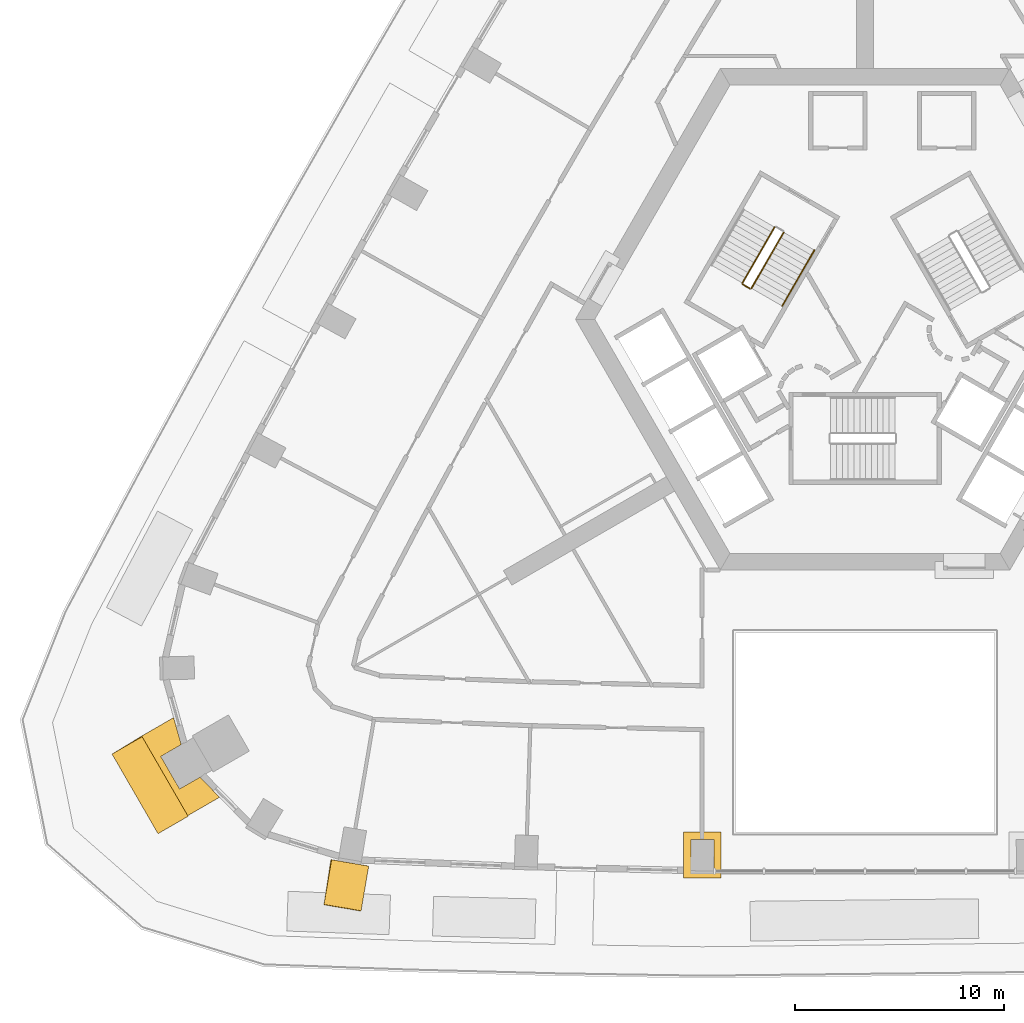
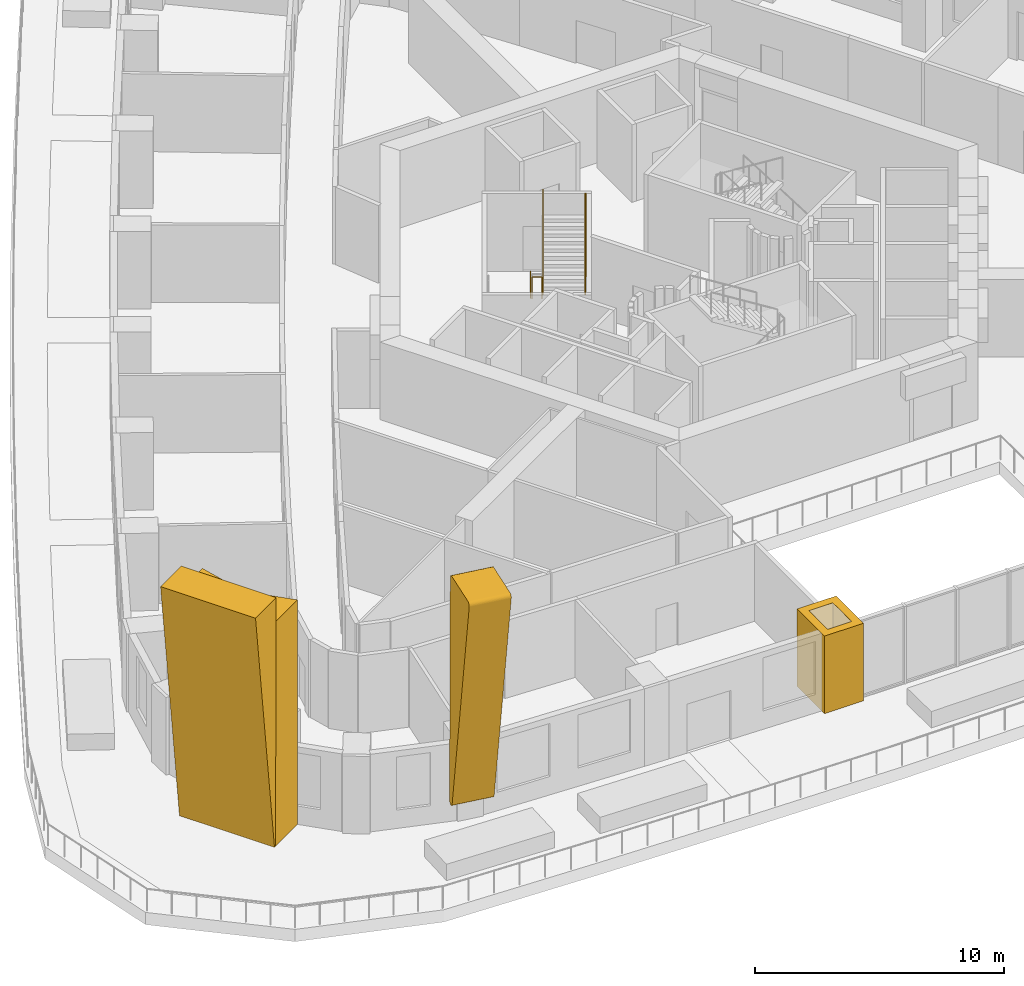
# One storey, part 13 of 16: 4 coverings, 4 railings.
"""IFC4 building model written with IfcOpenShell, lengths in metres."""

from ifc_helpers import new_model, si_unit, direction, frame, origin, origin_2d, place, context, subcontext, project, spatial, polyline, circle, outline, extrude, material, type_object, element, save


model = new_model("IFC4")

# Units and contexts
model_context = context("Model", 3, precision=1e-05, world=origin(), true_north=direction((0.0, 1.0)))
body_context = subcontext(model_context, "Body", "Model", "MODEL_VIEW")
ifc_project = project(units=[si_unit("LENGTHUNIT", "METRE"), si_unit("AREAUNIT", "SQUARE_METRE"), si_unit("VOLUMEUNIT", "CUBIC_METRE"), si_unit("PLANEANGLEUNIT", "RADIAN"), si_unit("MASSUNIT", "GRAM", prefix="KILO")], contexts=[model_context])

# Site, building, storey
site_placement = place(None, origin())
site = spatial("IfcSite", under=ifc_project, at=site_placement, CompositionType="ELEMENT")
building_placement = place(site_placement, origin())
building = spatial("IfcBuilding", under=site, at=building_placement, Name="Entoto Arch Interchange Tower", CompositionType="ELEMENT")
storey_placement = place(building_placement, frame((0.0, 0.0, 138.199951171875)))
storey = spatial("IfcBuildingStorey", under=building, at=storey_placement, Name="L30", CompositionType="ELEMENT", Elevation=138.199951171875)

# Coverings
ifc_material_1 = material(Name="Board-marked precast concrete C50/60", Category="concrete")
covering_type = type_object("IfcCoveringType", Name="PRECAST FRAME COURSE", PredefinedType="CLADDING", material=ifc_material_1)
covering_1_placement = place(storey_placement, origin())
element("IfcCovering", 1, at=covering_1_placement, inside=storey, type_object=covering_type, Name="Corner pilaster SW L30-L32", PredefinedType="CLADDING", context=body_context, shape_type="SweptSolid", body=[
    extrude(outline(polyline([(-32.408935546875, -21.2509765625), (-34.60888671875, -17.44091796875), (-33.083984375, -16.56005859375), (-32.720947265625, -17.85205078125), (-33.698974609375, -18.4169921875), (-32.799072265625, -19.97509765625), (-31.821044921875, -19.410888671875), (-30.884033203125, -20.37109375), (-32.408935546875, -21.2509765625)])), origin(), (0.0, 0.0, 1.0), 11.0),
])
covering_2_placement = place(storey_placement, frame((-34.60888671875, -17.44091796875, 0.0), z_axis=(-0.500177323051, 0.86591797211, 0.002951454336), x_axis=(-0.865921757222, -0.500179478073, -9.200649e-06)))
element("IfcCovering", 2, at=covering_2_placement, inside=storey, type_object=covering_type, Name="Corner rib SW L30-L32", PredefinedType="CLADDING", context=body_context, shape_type="SweptSolid", body=[
    extrude(outline(polyline([(0.0, 0.0), (0.07852072430579661, 1.3552527156068805e-20), (1.6630051086801623, 12.200019610923919), (-3.644048159262377e-05, 12.200003587350258), (0.0, 0.0)])), origin(), (0.0, 0.0, -1.0), 4.39990234375),
])
covering_3_placement = place(storey_placement, frame((-25.60595703125, -23.64697265625, 1.119140625), z_axis=(-0.985749221564, 0.168195016562, 0.002984725901), x_axis=(0.049194691394, 0.305194289142, -0.951018574063)))
element("IfcCovering", 3, at=covering_3_placement, inside=storey, type_object=covering_type, Name="Fold rib S01 L30-L32", PredefinedType="CLADDING", context=body_context, shape_type="SweptSolid", body=[
    extrude(outline(polyline([(0.0, 0.0), (0.04543943350133891, 1.734723475976807e-18), (0.07388579013659848, -0.006961429461093637), (0.10041748867757108, -0.020661734053531392), (0.12416442607569184, -0.038433410646295504), (0.14367966011038152, -0.059777725898296726), (0.15837098205978392, -0.08602291949537849), (0.16747791912908036, -0.11404008490179887), (0.1719532212399118, -0.1436058963540576), (0.16989332159028525, -0.1728025122408406), (0.15607956609628978, -0.21481212906891856), (0.14025840487887442, -0.24038390116766498), (0.11999025623667757, -0.26174151146346236), (0.09492750073148046, -0.27862738425579814), (0.06819193460749941, -0.29035419790028766), (-10.3034910059266, -3.662336752125901), (-10.332137371853838, -3.6681855275173074), (-10.376713935307876, -3.6668928340065565), (-10.41814082338126, -3.652374454053964), (-10.45358146972976, -3.62785567465932), (-10.473481265809644, -3.6053278968980047), (-10.487157337935612, -3.579048940887103), (-11.076741616238959, -1.7683295781775346), (-11.08270182487977, -1.7405117036420452), (-11.083848705772148, -1.7109194254169051), (-11.078406536297837, -1.6826478876240354), (-11.068135154778268, -1.6558001612661688), (-11.053194680946271, -1.630687360691834), (-11.033977813395621, -1.6092456899294008), (-11.009721234951344, -1.5930476263046418), (-10.983406262140665, -1.5800195272703832), (-10.955364630104976, -1.5731020322507656), (0.0, 0.0)])), origin(), (0.0, 0.0, -1.0), 1.800048828125),
])
covering_4_placement = place(storey_placement, origin())
element("IfcCovering", 4, at=covering_4_placement, inside=storey, type_object=covering_type, Name="Gate pier L30", PredefinedType="CLADDING", context=body_context, shape_type="SweptSolid", body=[
    extrude(outline(polyline([(-8.68896484375, -22.041015625), (-6.888916015625, -22.041015625), (-6.888916015625, -24.240966796875), (-8.68896484375, -24.240966796875), (-8.68896484375, -22.041015625)]), holes=[polyline([(-8.339111328125, -22.39111328125), (-8.339111328125, -23.89111328125), (-7.239013671875, -23.89111328125), (-7.239013671875, -22.39111328125), (-8.339111328125, -22.39111328125)])]), origin(), (0.0, 0.0, 1.0), 3.800048828125),
])

# Railings
ifc_material_2 = material(Name="Stainless steel 1.4301", Category="steel")
railing_type_1 = type_object("IfcRailingType", Name="STAIR GUARD 1100 STEEL", PredefinedType="GUARDRAIL", material=ifc_material_2)
railing_1_placement = place(storey_placement, frame((-4.327880859375, 6.904052734375, 0.175048828125)))
element("IfcRailing", 5, at=railing_1_placement, inside=storey, type_object=railing_type_1, Name="L30 ST-NW stair guard 1", PredefinedType="GUARDRAIL", context=body_context, shape_type="SweptSolid", body=[
    extrude(circle(Radius=0.02392578125, at=origin_2d()), frame((0.0, 0.0, 1.076171875), z_axis=(-0.423994474112, -0.734394994316, 0.52999309264), x_axis=(0.866029832698, -0.499992328818, 0.0)), (0.0, 0.0, 1.0), 3.63232421875),
    extrude(circle(Radius=0.02099609375, at=origin_2d()), origin(), (0.0, 0.0, 1.0), 1.052001953125),
    extrude(circle(Radius=0.02099609375, at=origin_2d()), frame((-0.385009765625, -0.6669921875, 0.481201171875)), (0.0, 0.0, 1.0), 1.052001953125),
    extrude(circle(Radius=0.02099609375, at=origin_2d()), frame((-0.77001953125, -1.333740234375, 0.96240234375)), (0.0, 0.0, 1.0), 1.052001953125),
    extrude(circle(Radius=0.02099609375, at=origin_2d()), frame((-1.155029296875, -2.00048828125, 1.44384765625)), (0.0, 0.0, 1.0), 1.052001953125),
    extrude(circle(Radius=0.02099609375, at=origin_2d()), frame((-1.5400390625, -2.66748046875, 1.925048828125)), (0.0, 0.0, 1.0), 1.052001953125),
])
railing_2_placement = place(storey_placement, frame((-5.849609375, 4.168212890625, 2.10009765625)))
element("IfcRailing", 6, at=railing_2_placement, inside=storey, type_object=railing_type_1, Name="L30 ST-NW stair guard 2", PredefinedType="GUARDRAIL", context=body_context, shape_type="SweptSolid", body=[
    extrude(circle(Radius=0.02392578125, at=origin_2d()), frame((0.0, 0.0, 1.076171875), z_axis=(0.866094119867, -0.499880961361, 0.0), x_axis=(0.499880961361, 0.866094119867, 0.0)), (0.0, 0.0, 1.0), 0.39990234375),
    extrude(circle(Radius=0.02099609375, at=origin_2d()), origin(), (0.0, 0.0, 1.0), 1.052001953125),
    extrude(circle(Radius=0.02099609375, at=origin_2d()), frame((0.346435546875, -0.199951171875, 0.0)), (0.0, 0.0, 1.0), 1.052001953125),
])
railing_3_placement = place(storey_placement, frame((-5.434814453125, 3.986572265625, 2.275146484375)))
element("IfcRailing", 7, at=railing_3_placement, inside=storey, type_object=railing_type_1, Name="L30 ST-NW stair guard 3", PredefinedType="GUARDRAIL", context=body_context, shape_type="SweptSolid", body=[
    extrude(circle(Radius=0.02392578125, at=origin_2d()), frame((0.0, 0.0, 1.076171875), z_axis=(0.424009578203, 0.734421155904, 0.529944755001), x_axis=(-0.866029832698, 0.499992328818, 0.0)), (0.0, 0.0, 1.0), 3.632080078125),
    extrude(circle(Radius=0.02099609375, at=origin_2d()), origin(), (0.0, 0.0, 1.0), 1.052001953125),
    extrude(circle(Radius=0.02099609375, at=origin_2d()), frame((0.385009765625, 0.6669921875, 0.481201171875)), (0.0, 0.0, 1.0), 1.052001953125),
    extrude(circle(Radius=0.02099609375, at=origin_2d()), frame((0.77001953125, 1.333740234375, 0.96240234375)), (0.0, 0.0, 1.0), 1.052001953125),
    extrude(circle(Radius=0.02099609375, at=origin_2d()), frame((1.155029296875, 2.00048828125, 1.443603515625)), (0.0, 0.0, 1.0), 1.052001953125),
    extrude(circle(Radius=0.02099609375, at=origin_2d()), frame((1.5400390625, 2.66748046875, 1.9248046875)), (0.0, 0.0, 1.0), 1.052001953125),
])
railing_type_2 = type_object("IfcRailingType", Name="STAIR HANDRAIL 900 STEEL", PredefinedType="HANDRAIL", material=ifc_material_2)
railing_4_placement = place(storey_placement, frame((-3.962646484375, 3.136474609375, 2.275146484375)))
element("IfcRailing", 8, at=railing_4_placement, inside=storey, type_object=railing_type_2, Name="L30 ST-NW stair handrail 2", PredefinedType="HANDRAIL", context=body_context, shape_type="SweptSolid", body=[
    extrude(circle(Radius=0.02392578125, at=origin_2d()), frame((0.0, 0.0, 0.8759765625), z_axis=(0.424009578203, 0.734421155904, 0.529944755001), x_axis=(-0.866029832698, 0.499992328818, 0.0)), (0.0, 0.0, 1.0), 3.632080078125),
    extrude(circle(Radius=0.02099609375, at=origin_2d()), origin(), (0.0, 0.0, 1.0), 0.851806640625),
    extrude(circle(Radius=0.02099609375, at=origin_2d()), frame((0.385009765625, 0.6669921875, 0.481201171875)), (0.0, 0.0, 1.0), 0.851806640625),
    extrude(circle(Radius=0.02099609375, at=origin_2d()), frame((0.77001953125, 1.333740234375, 0.96240234375)), (0.0, 0.0, 1.0), 0.851806640625),
    extrude(circle(Radius=0.02099609375, at=origin_2d()), frame((1.155029296875, 2.00048828125, 1.443603515625)), (0.0, 0.0, 1.0), 0.851806640625),
    extrude(circle(Radius=0.02099609375, at=origin_2d()), frame((1.5400390625, 2.66748046875, 1.9248046875)), (0.0, 0.0, 1.0), 0.851806640625),
])

save(model, "model.ifc")
